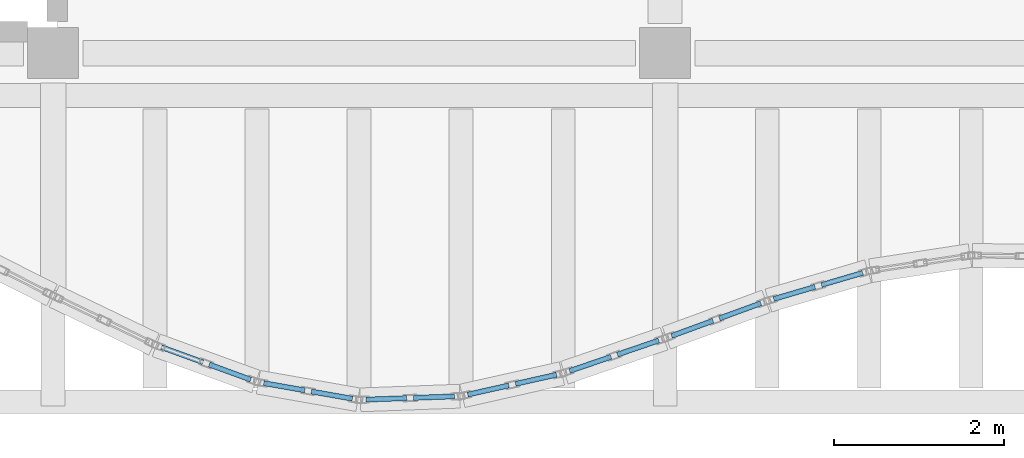
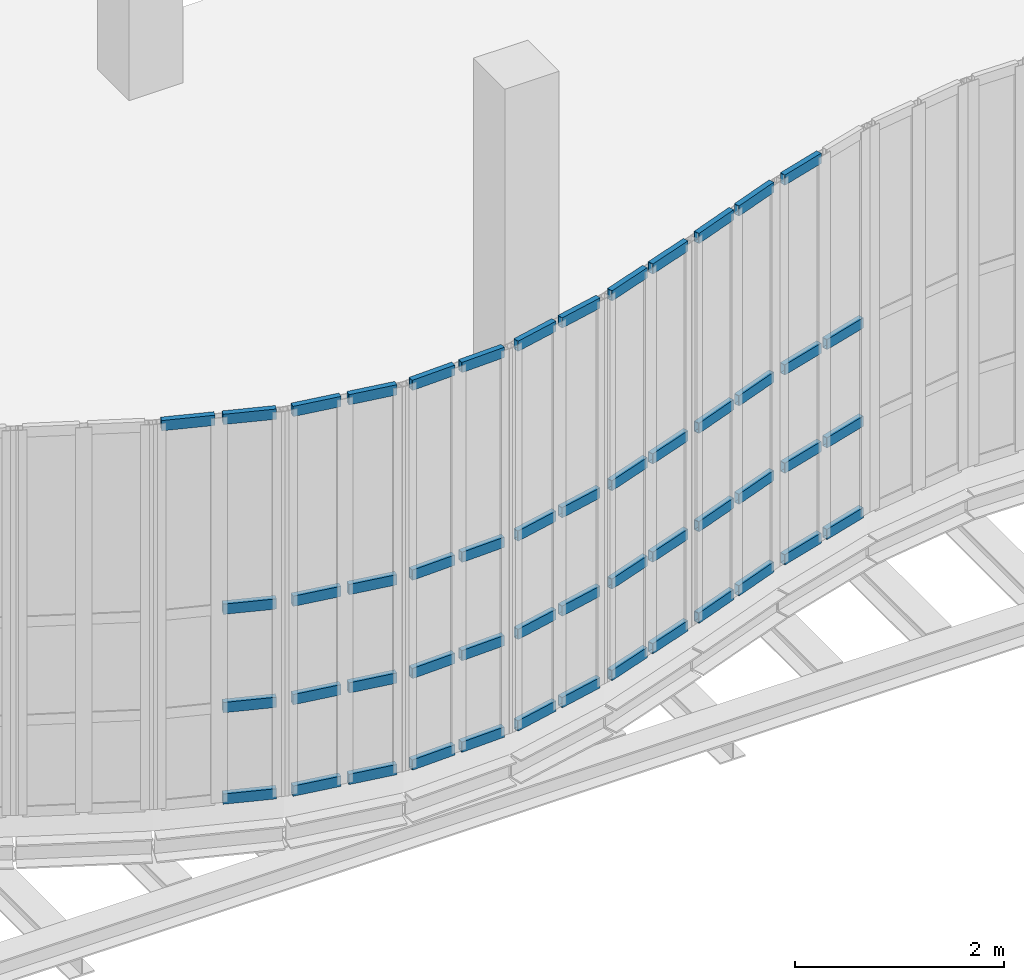
# One storey, part 57 of 105: 52 members, 7 elements without a shape of their own.
"""IFC4 building model written with IfcOpenShell, lengths in metres."""

from ifc_helpers import new_model, si_unit, direction, frame, origin, origin_2d, place, context, subcontext, project, spatial, hollow_rectangle, extrude, material, layer, layer_set, material_profile, profile_set, type_object, element, aggregate, save


model = new_model("IFC4")

# Units and contexts
model_context = context("Model", 3, precision=1e-05, world=origin(), true_north=direction((0.0, 1.0)))
body_context = subcontext(model_context, "Body", "Model", "MODEL_VIEW")
ifc_project = project(units=[si_unit("LENGTHUNIT", "METRE"), si_unit("AREAUNIT", "SQUARE_METRE"), si_unit("VOLUMEUNIT", "CUBIC_METRE"), si_unit("PLANEANGLEUNIT", "RADIAN"), si_unit("MASSUNIT", "GRAM", prefix="KILO"), si_unit("THERMODYNAMICTEMPERATUREUNIT", "KELVIN"), si_unit("POWERUNIT", "WATT")], contexts=[model_context])

# Site, building, storey
site_placement = place(None, origin())
site = spatial("IfcSite", under=ifc_project, at=site_placement, CompositionType="ELEMENT")
building_placement = place(site_placement, origin())
building = spatial("IfcBuilding", under=site, at=building_placement, Name="Kaldorven Railside Theatre", CompositionType="ELEMENT")
storey_placement = place(building_placement, frame((0.0, 0.0, 9.89990234375)))
storey = spatial("IfcBuildingStorey", under=building, at=storey_placement, Name="L02", CompositionType="ELEMENT", Elevation=9.89990234375)

# Curtain wall, members
ifc_material_1 = material(Name="Low-E laminated solar-control glass", Category="glass")
ifc_layer_1 = layer(ifc_material_1, 0.159912109375, Name="Low-E laminated solar-control glass")
ifc_layer_set_1 = layer_set([ifc_layer_1], Name="Low-E laminated solar-control glass")
curtain_wall_type_1 = type_object("IfcCurtainWallType", Name="CWT-01", PredefinedType="USERDEFINED", material=ifc_layer_set_1)
curtain_wall_1_placement = place(storey_placement, origin())
curtain_wall_1 = element("IfcCurtainWall", 1, at=curtain_wall_1_placement, inside=storey, type_object=curtain_wall_type_1, Name="Sinusoidal Fluted Curtain Wall CW-L02-S32", ObjectType="FLUTED GLAZING", PredefinedType="USERDEFINED")
ifc_material_2 = material(Name="Anodised bronze aluminium", Category="aluminium")
ifc_material_profile = material_profile(ifc_material_2, hollow_rectangle(XDim=0.06005859375, YDim=0.1201171875, WallThickness=0.0048828125, at=origin_2d()), Name="RHS 120x60x5")
ifc_profile_set = profile_set([ifc_material_profile], Name="Anodised bronze aluminium")
member_type = type_object("IfcMemberType", Name="CWT-120", PredefinedType="USERDEFINED", material=ifc_profile_set)
member_1_placement = place(storey_placement, frame((74.0751953125, 15.741455078125, 4.47021484375), z_axis=(0.939765927039, -0.341818668853, 0.0), x_axis=(0.341818668853, 0.939765927039, 0.0)))
member_1 = element("IfcMember", 2, at=member_1_placement, type_object=member_type, Name="CW-L02-S32 transom 1.4", ObjectType="TRANSOM", PredefinedType="USERDEFINED", context=body_context, shape_type="SweptSolid", body=[
    extrude(hollow_rectangle(XDim=0.06005859375, YDim=0.1201171875, WallThickness=0.0048828125, at=origin_2d()), origin(), (0.0, 0.0, 1.0), 0.5185546875),
])
member_2_placement = place(storey_placement, frame((74.6376953125, 15.536865234375, 0.030029296875), z_axis=(0.939710879359, -0.341969974143, 0.0), x_axis=(0.341969974143, 0.939710879359, 0.0)))
member_2 = element("IfcMember", 3, at=member_2_placement, type_object=member_type, Name="CW-L02-S32 transom 2.1", ObjectType="TRANSOM", PredefinedType="USERDEFINED", context=body_context, shape_type="SweptSolid", body=[
    extrude(hollow_rectangle(XDim=0.06005859375, YDim=0.1201171875, WallThickness=0.0048828125, at=origin_2d()), origin(), (0.0, 0.0, 1.0), 0.518310546875),
])
member_3_placement = place(storey_placement, frame((74.6376953125, 15.536865234375, 1.10009765625), z_axis=(0.939710879359, -0.341969974143, 0.0), x_axis=(0.341969974143, 0.939710879359, 0.0)))
member_3 = element("IfcMember", 4, at=member_3_placement, type_object=member_type, Name="CW-L02-S32 transom 2.2", ObjectType="TRANSOM", PredefinedType="USERDEFINED", context=body_context, shape_type="SweptSolid", body=[
    extrude(hollow_rectangle(XDim=0.06005859375, YDim=0.1201171875, WallThickness=0.0048828125, at=origin_2d()), origin(), (0.0, 0.0, 1.0), 0.518310546875),
])
member_4_placement = place(storey_placement, frame((74.6376953125, 15.536865234375, 2.25), z_axis=(0.939710879359, -0.341969974143, 0.0), x_axis=(0.341969974143, 0.939710879359, 0.0)))
member_4 = element("IfcMember", 5, at=member_4_placement, type_object=member_type, Name="CW-L02-S32 transom 2.3", ObjectType="TRANSOM", PredefinedType="USERDEFINED", context=body_context, shape_type="SweptSolid", body=[
    extrude(hollow_rectangle(XDim=0.06005859375, YDim=0.1201171875, WallThickness=0.0048828125, at=origin_2d()), origin(), (0.0, 0.0, 1.0), 0.518310546875),
])
member_5_placement = place(storey_placement, frame((74.6376953125, 15.536865234375, 4.47021484375), z_axis=(0.939710879359, -0.341969974143, 0.0), x_axis=(0.341969974143, 0.939710879359, 0.0)))
member_5 = element("IfcMember", 6, at=member_5_placement, type_object=member_type, Name="CW-L02-S32 transom 2.4", ObjectType="TRANSOM", PredefinedType="USERDEFINED", context=body_context, shape_type="SweptSolid", body=[
    extrude(hollow_rectangle(XDim=0.06005859375, YDim=0.1201171875, WallThickness=0.0048828125, at=origin_2d()), origin(), (0.0, 0.0, 1.0), 0.518310546875),
])
aggregate(curtain_wall_1, [member_1, member_2, member_3, member_4, member_5])

ifc_layer_2 = layer(ifc_material_1, 0.159912109375, Name="Low-E laminated solar-control glass")
ifc_layer_set_2 = layer_set([ifc_layer_2], Name="Low-E laminated solar-control glass")
curtain_wall_type_2 = type_object("IfcCurtainWallType", Name="CWT-07", PredefinedType="USERDEFINED", material=ifc_layer_set_2)
curtain_wall_2_placement = place(storey_placement, origin())
curtain_wall_2 = element("IfcCurtainWall", 7, at=curtain_wall_2_placement, inside=storey, type_object=curtain_wall_type_2, Name="Sinusoidal Fluted Curtain Wall CW-L02-S33", ObjectType="FLUTED GLAZING", PredefinedType="USERDEFINED")
member_6_placement = place(storey_placement, frame((75.27880859375, 15.318359375, 0.030029296875), z_axis=(0.984883900347, -0.1732157696, 0.0), x_axis=(0.1732157696, 0.984883900347, 0.0)))
member_6 = element("IfcMember", 8, at=member_6_placement, type_object=member_type, Name="CW-L02-S33 transom 1.1", ObjectType="TRANSOM", PredefinedType="USERDEFINED", context=body_context, shape_type="SweptSolid", body=[
    extrude(hollow_rectangle(XDim=0.06005859375, YDim=0.1201171875, WallThickness=0.0048828125, at=origin_2d()), origin(), (0.0, 0.0, 1.0), 0.489013671875),
])
member_7_placement = place(storey_placement, frame((75.27880859375, 15.318359375, 1.10009765625), z_axis=(0.984883900347, -0.1732157696, 0.0), x_axis=(0.1732157696, 0.984883900347, 0.0)))
member_7 = element("IfcMember", 9, at=member_7_placement, type_object=member_type, Name="CW-L02-S33 transom 1.2", ObjectType="TRANSOM", PredefinedType="USERDEFINED", context=body_context, shape_type="SweptSolid", body=[
    extrude(hollow_rectangle(XDim=0.06005859375, YDim=0.1201171875, WallThickness=0.0048828125, at=origin_2d()), origin(), (0.0, 0.0, 1.0), 0.489013671875),
])
member_8_placement = place(storey_placement, frame((75.27880859375, 15.318359375, 2.25), z_axis=(0.984883900347, -0.1732157696, 0.0), x_axis=(0.1732157696, 0.984883900347, 0.0)))
member_8 = element("IfcMember", 10, at=member_8_placement, type_object=member_type, Name="CW-L02-S33 transom 1.3", ObjectType="TRANSOM", PredefinedType="USERDEFINED", context=body_context, shape_type="SweptSolid", body=[
    extrude(hollow_rectangle(XDim=0.06005859375, YDim=0.1201171875, WallThickness=0.0048828125, at=origin_2d()), origin(), (0.0, 0.0, 1.0), 0.489013671875),
])
member_9_placement = place(storey_placement, frame((75.27880859375, 15.318359375, 4.47021484375), z_axis=(0.984883900347, -0.1732157696, 0.0), x_axis=(0.1732157696, 0.984883900347, 0.0)))
member_9 = element("IfcMember", 11, at=member_9_placement, type_object=member_type, Name="CW-L02-S33 transom 1.4", ObjectType="TRANSOM", PredefinedType="USERDEFINED", context=body_context, shape_type="SweptSolid", body=[
    extrude(hollow_rectangle(XDim=0.06005859375, YDim=0.1201171875, WallThickness=0.0048828125, at=origin_2d()), origin(), (0.0, 0.0, 1.0), 0.489013671875),
])
member_10_placement = place(storey_placement, frame((75.83935546875, 15.2197265625, 0.030029296875), z_axis=(0.984898866584, -0.173130651826, 0.0), x_axis=(0.173130651826, 0.984898866584, 0.0)))
member_10 = element("IfcMember", 12, at=member_10_placement, type_object=member_type, Name="CW-L02-S33 transom 2.1", ObjectType="TRANSOM", PredefinedType="USERDEFINED", context=body_context, shape_type="SweptSolid", body=[
    extrude(hollow_rectangle(XDim=0.06005859375, YDim=0.1201171875, WallThickness=0.0048828125, at=origin_2d()), origin(), (0.0, 0.0, 1.0), 0.4892578125),
])
member_11_placement = place(storey_placement, frame((75.83935546875, 15.2197265625, 1.10009765625), z_axis=(0.984898866584, -0.173130651826, 0.0), x_axis=(0.173130651826, 0.984898866584, 0.0)))
member_11 = element("IfcMember", 13, at=member_11_placement, type_object=member_type, Name="CW-L02-S33 transom 2.2", ObjectType="TRANSOM", PredefinedType="USERDEFINED", context=body_context, shape_type="SweptSolid", body=[
    extrude(hollow_rectangle(XDim=0.06005859375, YDim=0.1201171875, WallThickness=0.0048828125, at=origin_2d()), origin(), (0.0, 0.0, 1.0), 0.4892578125),
])
member_12_placement = place(storey_placement, frame((75.83935546875, 15.2197265625, 2.25), z_axis=(0.984898866584, -0.173130651826, 0.0), x_axis=(0.173130651826, 0.984898866584, 0.0)))
member_12 = element("IfcMember", 14, at=member_12_placement, type_object=member_type, Name="CW-L02-S33 transom 2.3", ObjectType="TRANSOM", PredefinedType="USERDEFINED", context=body_context, shape_type="SweptSolid", body=[
    extrude(hollow_rectangle(XDim=0.06005859375, YDim=0.1201171875, WallThickness=0.0048828125, at=origin_2d()), origin(), (0.0, 0.0, 1.0), 0.4892578125),
])
member_13_placement = place(storey_placement, frame((75.83935546875, 15.2197265625, 4.47021484375), z_axis=(0.984898866584, -0.173130651826, 0.0), x_axis=(0.173130651826, 0.984898866584, 0.0)))
member_13 = element("IfcMember", 15, at=member_13_placement, type_object=member_type, Name="CW-L02-S33 transom 2.4", ObjectType="TRANSOM", PredefinedType="USERDEFINED", context=body_context, shape_type="SweptSolid", body=[
    extrude(hollow_rectangle(XDim=0.06005859375, YDim=0.1201171875, WallThickness=0.0048828125, at=origin_2d()), origin(), (0.0, 0.0, 1.0), 0.4892578125),
])
aggregate(curtain_wall_2, [member_6, member_7, member_8, member_9, member_10, member_11, member_12, member_13])

ifc_layer_3 = layer(ifc_material_1, 0.159912109375, Name="Low-E laminated solar-control glass")
ifc_layer_set_3 = layer_set([ifc_layer_3], Name="Low-E laminated solar-control glass")
curtain_wall_type_3 = type_object("IfcCurtainWallType", Name="CWT-03", PredefinedType="USERDEFINED", material=ifc_layer_set_3)
curtain_wall_3_placement = place(storey_placement, origin())
curtain_wall_3 = element("IfcCurtainWall", 16, at=curtain_wall_3_placement, inside=storey, type_object=curtain_wall_type_3, Name="Sinusoidal Fluted Curtain Wall CW-L02-S34", ObjectType="FLUTED GLAZING", PredefinedType="USERDEFINED")
member_14_placement = place(storey_placement, frame((76.47998046875, 15.124267578125, 0.030029296875), z_axis=(0.99933006699, 0.036598049249, 0.0), x_axis=(-0.036598049249, 0.99933006699, 0.0)))
member_14 = element("IfcMember", 17, at=member_14_placement, type_object=member_type, Name="CW-L02-S34 transom 1.1", ObjectType="TRANSOM", PredefinedType="USERDEFINED", context=body_context, shape_type="SweptSolid", body=[
    extrude(hollow_rectangle(XDim=0.06005859375, YDim=0.1201171875, WallThickness=0.0048828125, at=origin_2d()), origin(), (0.0, 0.0, 1.0), 0.480224609375),
])
member_15_placement = place(storey_placement, frame((76.47998046875, 15.124267578125, 1.10009765625), z_axis=(0.99933006699, 0.036598049249, 0.0), x_axis=(-0.036598049249, 0.99933006699, 0.0)))
member_15 = element("IfcMember", 18, at=member_15_placement, type_object=member_type, Name="CW-L02-S34 transom 1.2", ObjectType="TRANSOM", PredefinedType="USERDEFINED", context=body_context, shape_type="SweptSolid", body=[
    extrude(hollow_rectangle(XDim=0.06005859375, YDim=0.1201171875, WallThickness=0.0048828125, at=origin_2d()), origin(), (0.0, 0.0, 1.0), 0.480224609375),
])
member_16_placement = place(storey_placement, frame((76.47998046875, 15.124267578125, 2.25), z_axis=(0.99933006699, 0.036598049249, 0.0), x_axis=(-0.036598049249, 0.99933006699, 0.0)))
member_16 = element("IfcMember", 19, at=member_16_placement, type_object=member_type, Name="CW-L02-S34 transom 1.3", ObjectType="TRANSOM", PredefinedType="USERDEFINED", context=body_context, shape_type="SweptSolid", body=[
    extrude(hollow_rectangle(XDim=0.06005859375, YDim=0.1201171875, WallThickness=0.0048828125, at=origin_2d()), origin(), (0.0, 0.0, 1.0), 0.480224609375),
])
member_17_placement = place(storey_placement, frame((76.47998046875, 15.124267578125, 4.47021484375), z_axis=(0.99933006699, 0.036598049249, 0.0), x_axis=(-0.036598049249, 0.99933006699, 0.0)))
member_17 = element("IfcMember", 20, at=member_17_placement, type_object=member_type, Name="CW-L02-S34 transom 1.4", ObjectType="TRANSOM", PredefinedType="USERDEFINED", context=body_context, shape_type="SweptSolid", body=[
    extrude(hollow_rectangle(XDim=0.06005859375, YDim=0.1201171875, WallThickness=0.0048828125, at=origin_2d()), origin(), (0.0, 0.0, 1.0), 0.480224609375),
])
member_18_placement = place(storey_placement, frame((77.0400390625, 15.14501953125, 0.030029296875), z_axis=(0.999311347861, 0.037105660424, 0.0), x_axis=(-0.037105660424, 0.999311347861, 0.0)))
member_18 = element("IfcMember", 21, at=member_18_placement, type_object=member_type, Name="CW-L02-S34 transom 2.1", ObjectType="TRANSOM", PredefinedType="USERDEFINED", context=body_context, shape_type="SweptSolid", body=[
    extrude(hollow_rectangle(XDim=0.06005859375, YDim=0.1201171875, WallThickness=0.0048828125, at=origin_2d()), origin(), (0.0, 0.0, 1.0), 0.480224609375),
])
member_19_placement = place(storey_placement, frame((77.0400390625, 15.14501953125, 1.10009765625), z_axis=(0.999311347861, 0.037105660424, 0.0), x_axis=(-0.037105660424, 0.999311347861, 0.0)))
member_19 = element("IfcMember", 22, at=member_19_placement, type_object=member_type, Name="CW-L02-S34 transom 2.2", ObjectType="TRANSOM", PredefinedType="USERDEFINED", context=body_context, shape_type="SweptSolid", body=[
    extrude(hollow_rectangle(XDim=0.06005859375, YDim=0.1201171875, WallThickness=0.0048828125, at=origin_2d()), origin(), (0.0, 0.0, 1.0), 0.480224609375),
])
member_20_placement = place(storey_placement, frame((77.0400390625, 15.14501953125, 2.25), z_axis=(0.999311347861, 0.037105660424, 0.0), x_axis=(-0.037105660424, 0.999311347861, 0.0)))
member_20 = element("IfcMember", 23, at=member_20_placement, type_object=member_type, Name="CW-L02-S34 transom 2.3", ObjectType="TRANSOM", PredefinedType="USERDEFINED", context=body_context, shape_type="SweptSolid", body=[
    extrude(hollow_rectangle(XDim=0.06005859375, YDim=0.1201171875, WallThickness=0.0048828125, at=origin_2d()), origin(), (0.0, 0.0, 1.0), 0.480224609375),
])
member_21_placement = place(storey_placement, frame((77.0400390625, 15.14501953125, 4.47021484375), z_axis=(0.999311347861, 0.037105660424, 0.0), x_axis=(-0.037105660424, 0.999311347861, 0.0)))
member_21 = element("IfcMember", 24, at=member_21_placement, type_object=member_type, Name="CW-L02-S34 transom 2.4", ObjectType="TRANSOM", PredefinedType="USERDEFINED", context=body_context, shape_type="SweptSolid", body=[
    extrude(hollow_rectangle(XDim=0.06005859375, YDim=0.1201171875, WallThickness=0.0048828125, at=origin_2d()), origin(), (0.0, 0.0, 1.0), 0.480224609375),
])
aggregate(curtain_wall_3, [member_14, member_15, member_16, member_17, member_18, member_19, member_20, member_21])

ifc_layer_4 = layer(ifc_material_1, 0.159912109375, Name="Low-E laminated solar-control glass")
ifc_layer_set_4 = layer_set([ifc_layer_4], Name="Low-E laminated solar-control glass")
curtain_wall_type_4 = type_object("IfcCurtainWallType", Name="CWT-02", PredefinedType="USERDEFINED", material=ifc_layer_set_4)
curtain_wall_4_placement = place(storey_placement, origin())
curtain_wall_4 = element("IfcCurtainWall", 25, at=curtain_wall_4_placement, inside=storey, type_object=curtain_wall_type_4, Name="Sinusoidal Fluted Curtain Wall CW-L02-S35", ObjectType="FLUTED GLAZING", PredefinedType="USERDEFINED")
member_22_placement = place(storey_placement, frame((77.677978515625, 15.183349609375, 0.030029296875), z_axis=(0.975720554959, 0.219019174116, 0.0), x_axis=(-0.219019174116, 0.975720554959, 0.0)))
member_22 = element("IfcMember", 26, at=member_22_placement, type_object=member_type, Name="CW-L02-S35 transom 1.1", ObjectType="TRANSOM", PredefinedType="USERDEFINED", context=body_context, shape_type="SweptSolid", body=[
    extrude(hollow_rectangle(XDim=0.06005859375, YDim=0.1201171875, WallThickness=0.0048828125, at=origin_2d()), origin(), (0.0, 0.0, 1.0), 0.494873046875),
])
member_23_placement = place(storey_placement, frame((77.677978515625, 15.183349609375, 1.10009765625), z_axis=(0.975720554959, 0.219019174116, 0.0), x_axis=(-0.219019174116, 0.975720554959, 0.0)))
member_23 = element("IfcMember", 27, at=member_23_placement, type_object=member_type, Name="CW-L02-S35 transom 1.2", ObjectType="TRANSOM", PredefinedType="USERDEFINED", context=body_context, shape_type="SweptSolid", body=[
    extrude(hollow_rectangle(XDim=0.06005859375, YDim=0.1201171875, WallThickness=0.0048828125, at=origin_2d()), origin(), (0.0, 0.0, 1.0), 0.494873046875),
])
member_24_placement = place(storey_placement, frame((77.677978515625, 15.183349609375, 2.25), z_axis=(0.975720554959, 0.219019174116, 0.0), x_axis=(-0.219019174116, 0.975720554959, 0.0)))
member_24 = element("IfcMember", 28, at=member_24_placement, type_object=member_type, Name="CW-L02-S35 transom 1.3", ObjectType="TRANSOM", PredefinedType="USERDEFINED", context=body_context, shape_type="SweptSolid", body=[
    extrude(hollow_rectangle(XDim=0.06005859375, YDim=0.1201171875, WallThickness=0.0048828125, at=origin_2d()), origin(), (0.0, 0.0, 1.0), 0.494873046875),
])
member_25_placement = place(storey_placement, frame((77.677978515625, 15.183349609375, 4.47021484375), z_axis=(0.975720554959, 0.219019174116, 0.0), x_axis=(-0.219019174116, 0.975720554959, 0.0)))
member_25 = element("IfcMember", 29, at=member_25_placement, type_object=member_type, Name="CW-L02-S35 transom 1.4", ObjectType="TRANSOM", PredefinedType="USERDEFINED", context=body_context, shape_type="SweptSolid", body=[
    extrude(hollow_rectangle(XDim=0.06005859375, YDim=0.1201171875, WallThickness=0.0048828125, at=origin_2d()), origin(), (0.0, 0.0, 1.0), 0.494873046875),
])
member_26_placement = place(storey_placement, frame((78.239013671875, 15.309326171875, 0.030029296875), z_axis=(0.975720554959, 0.219019174116, 0.0), x_axis=(-0.219019174116, 0.975720554959, 0.0)))
member_26 = element("IfcMember", 30, at=member_26_placement, type_object=member_type, Name="CW-L02-S35 transom 2.1", ObjectType="TRANSOM", PredefinedType="USERDEFINED", context=body_context, shape_type="SweptSolid", body=[
    extrude(hollow_rectangle(XDim=0.06005859375, YDim=0.1201171875, WallThickness=0.0048828125, at=origin_2d()), origin(), (0.0, 0.0, 1.0), 0.494873046875),
])
member_27_placement = place(storey_placement, frame((78.239013671875, 15.309326171875, 1.10009765625), z_axis=(0.975720554959, 0.219019174116, 0.0), x_axis=(-0.219019174116, 0.975720554959, 0.0)))
member_27 = element("IfcMember", 31, at=member_27_placement, type_object=member_type, Name="CW-L02-S35 transom 2.2", ObjectType="TRANSOM", PredefinedType="USERDEFINED", context=body_context, shape_type="SweptSolid", body=[
    extrude(hollow_rectangle(XDim=0.06005859375, YDim=0.1201171875, WallThickness=0.0048828125, at=origin_2d()), origin(), (0.0, 0.0, 1.0), 0.494873046875),
])
member_28_placement = place(storey_placement, frame((78.239013671875, 15.309326171875, 2.25), z_axis=(0.975720554959, 0.219019174116, 0.0), x_axis=(-0.219019174116, 0.975720554959, 0.0)))
member_28 = element("IfcMember", 32, at=member_28_placement, type_object=member_type, Name="CW-L02-S35 transom 2.3", ObjectType="TRANSOM", PredefinedType="USERDEFINED", context=body_context, shape_type="SweptSolid", body=[
    extrude(hollow_rectangle(XDim=0.06005859375, YDim=0.1201171875, WallThickness=0.0048828125, at=origin_2d()), origin(), (0.0, 0.0, 1.0), 0.494873046875),
])
member_29_placement = place(storey_placement, frame((78.239013671875, 15.309326171875, 4.47021484375), z_axis=(0.975720554959, 0.219019174116, 0.0), x_axis=(-0.219019174116, 0.975720554959, 0.0)))
member_29 = element("IfcMember", 33, at=member_29_placement, type_object=member_type, Name="CW-L02-S35 transom 2.4", ObjectType="TRANSOM", PredefinedType="USERDEFINED", context=body_context, shape_type="SweptSolid", body=[
    extrude(hollow_rectangle(XDim=0.06005859375, YDim=0.1201171875, WallThickness=0.0048828125, at=origin_2d()), origin(), (0.0, 0.0, 1.0), 0.494873046875),
])
aggregate(curtain_wall_4, [member_22, member_23, member_24, member_25, member_26, member_27, member_28, member_29])

ifc_layer_5 = layer(ifc_material_1, 0.159912109375, Name="Low-E laminated solar-control glass")
ifc_layer_set_5 = layer_set([ifc_layer_5], Name="Low-E laminated solar-control glass")
curtain_wall_type_5 = type_object("IfcCurtainWallType", Name="CWT-04", PredefinedType="USERDEFINED", material=ifc_layer_set_5)
curtain_wall_5_placement = place(storey_placement, origin())
curtain_wall_5 = element("IfcCurtainWall", 34, at=curtain_wall_5_placement, inside=storey, type_object=curtain_wall_type_5, Name="Sinusoidal Fluted Curtain Wall CW-L02-S36", ObjectType="FLUTED GLAZING", PredefinedType="USERDEFINED")
member_30_placement = place(storey_placement, frame((78.875732421875, 15.461181640625, 0.030029296875), z_axis=(0.945941783381, 0.324336464884, 0.0), x_axis=(-0.324336464884, 0.945941783381, 0.0)))
member_30 = element("IfcMember", 35, at=member_30_placement, type_object=member_type, Name="CW-L02-S36 transom 1.1", ObjectType="TRANSOM", PredefinedType="USERDEFINED", context=body_context, shape_type="SweptSolid", body=[
    extrude(hollow_rectangle(XDim=0.06005859375, YDim=0.1201171875, WallThickness=0.0048828125, at=origin_2d()), origin(), (0.0, 0.0, 1.0), 0.51416015625),
])
member_31_placement = place(storey_placement, frame((78.875732421875, 15.461181640625, 1.10009765625), z_axis=(0.945941783381, 0.324336464884, 0.0), x_axis=(-0.324336464884, 0.945941783381, 0.0)))
member_31 = element("IfcMember", 36, at=member_31_placement, type_object=member_type, Name="CW-L02-S36 transom 1.2", ObjectType="TRANSOM", PredefinedType="USERDEFINED", context=body_context, shape_type="SweptSolid", body=[
    extrude(hollow_rectangle(XDim=0.06005859375, YDim=0.1201171875, WallThickness=0.0048828125, at=origin_2d()), origin(), (0.0, 0.0, 1.0), 0.51416015625),
])
member_32_placement = place(storey_placement, frame((78.875732421875, 15.461181640625, 2.25), z_axis=(0.945941783381, 0.324336464884, 0.0), x_axis=(-0.324336464884, 0.945941783381, 0.0)))
member_32 = element("IfcMember", 37, at=member_32_placement, type_object=member_type, Name="CW-L02-S36 transom 1.3", ObjectType="TRANSOM", PredefinedType="USERDEFINED", context=body_context, shape_type="SweptSolid", body=[
    extrude(hollow_rectangle(XDim=0.06005859375, YDim=0.1201171875, WallThickness=0.0048828125, at=origin_2d()), origin(), (0.0, 0.0, 1.0), 0.51416015625),
])
member_33_placement = place(storey_placement, frame((78.875732421875, 15.461181640625, 4.47021484375), z_axis=(0.945941783381, 0.324336464884, 0.0), x_axis=(-0.324336464884, 0.945941783381, 0.0)))
member_33 = element("IfcMember", 38, at=member_33_placement, type_object=member_type, Name="CW-L02-S36 transom 1.4", ObjectType="TRANSOM", PredefinedType="USERDEFINED", context=body_context, shape_type="SweptSolid", body=[
    extrude(hollow_rectangle(XDim=0.06005859375, YDim=0.1201171875, WallThickness=0.0048828125, at=origin_2d()), origin(), (0.0, 0.0, 1.0), 0.51416015625),
])
member_34_placement = place(storey_placement, frame((79.437744140625, 15.65380859375, 0.030029296875), z_axis=(0.945991703324, 0.324190834606, 0.0), x_axis=(-0.324190834606, 0.945991703324, 0.0)))
member_34 = element("IfcMember", 39, at=member_34_placement, type_object=member_type, Name="CW-L02-S36 transom 2.1", ObjectType="TRANSOM", PredefinedType="USERDEFINED", context=body_context, shape_type="SweptSolid", body=[
    extrude(hollow_rectangle(XDim=0.06005859375, YDim=0.1201171875, WallThickness=0.0048828125, at=origin_2d()), origin(), (0.0, 0.0, 1.0), 0.514404296875),
])
member_35_placement = place(storey_placement, frame((79.437744140625, 15.65380859375, 1.10009765625), z_axis=(0.945991703324, 0.324190834606, 0.0), x_axis=(-0.324190834606, 0.945991703324, 0.0)))
member_35 = element("IfcMember", 40, at=member_35_placement, type_object=member_type, Name="CW-L02-S36 transom 2.2", ObjectType="TRANSOM", PredefinedType="USERDEFINED", context=body_context, shape_type="SweptSolid", body=[
    extrude(hollow_rectangle(XDim=0.06005859375, YDim=0.1201171875, WallThickness=0.0048828125, at=origin_2d()), origin(), (0.0, 0.0, 1.0), 0.514404296875),
])
member_36_placement = place(storey_placement, frame((79.437744140625, 15.65380859375, 2.25), z_axis=(0.945991703324, 0.324190834606, 0.0), x_axis=(-0.324190834606, 0.945991703324, 0.0)))
member_36 = element("IfcMember", 41, at=member_36_placement, type_object=member_type, Name="CW-L02-S36 transom 2.3", ObjectType="TRANSOM", PredefinedType="USERDEFINED", context=body_context, shape_type="SweptSolid", body=[
    extrude(hollow_rectangle(XDim=0.06005859375, YDim=0.1201171875, WallThickness=0.0048828125, at=origin_2d()), origin(), (0.0, 0.0, 1.0), 0.514404296875),
])
member_37_placement = place(storey_placement, frame((79.437744140625, 15.65380859375, 4.47021484375), z_axis=(0.945991703324, 0.324190834606, 0.0), x_axis=(-0.324190834606, 0.945991703324, 0.0)))
member_37 = element("IfcMember", 42, at=member_37_placement, type_object=member_type, Name="CW-L02-S36 transom 2.4", ObjectType="TRANSOM", PredefinedType="USERDEFINED", context=body_context, shape_type="SweptSolid", body=[
    extrude(hollow_rectangle(XDim=0.06005859375, YDim=0.1201171875, WallThickness=0.0048828125, at=origin_2d()), origin(), (0.0, 0.0, 1.0), 0.514404296875),
])
aggregate(curtain_wall_5, [member_30, member_31, member_32, member_33, member_34, member_35, member_36, member_37])

curtain_wall_6_placement = place(storey_placement, origin())
curtain_wall_6 = element("IfcCurtainWall", 43, at=curtain_wall_6_placement, inside=storey, type_object=curtain_wall_type_1, Name="Sinusoidal Fluted Curtain Wall CW-L02-S37", ObjectType="FLUTED GLAZING", PredefinedType="USERDEFINED")
member_38_placement = place(storey_placement, frame((80.0751953125, 15.873779296875, 0.030029296875), z_axis=(0.939159876124, 0.343480315416, 0.0), x_axis=(-0.343480315416, 0.939159876124, 0.0)))
member_38 = element("IfcMember", 44, at=member_38_placement, type_object=member_type, Name="CW-L02-S37 transom 1.1", ObjectType="TRANSOM", PredefinedType="USERDEFINED", context=body_context, shape_type="SweptSolid", body=[
    extrude(hollow_rectangle(XDim=0.06005859375, YDim=0.1201171875, WallThickness=0.0048828125, at=origin_2d()), origin(), (0.0, 0.0, 1.0), 0.518798828125),
])
member_39_placement = place(storey_placement, frame((80.0751953125, 15.873779296875, 1.10009765625), z_axis=(0.939159876124, 0.343480315416, 0.0), x_axis=(-0.343480315416, 0.939159876124, 0.0)))
member_39 = element("IfcMember", 45, at=member_39_placement, type_object=member_type, Name="CW-L02-S37 transom 1.2", ObjectType="TRANSOM", PredefinedType="USERDEFINED", context=body_context, shape_type="SweptSolid", body=[
    extrude(hollow_rectangle(XDim=0.06005859375, YDim=0.1201171875, WallThickness=0.0048828125, at=origin_2d()), origin(), (0.0, 0.0, 1.0), 0.518798828125),
])
member_40_placement = place(storey_placement, frame((80.0751953125, 15.873779296875, 2.25), z_axis=(0.939159876124, 0.343480315416, 0.0), x_axis=(-0.343480315416, 0.939159876124, 0.0)))
member_40 = element("IfcMember", 46, at=member_40_placement, type_object=member_type, Name="CW-L02-S37 transom 1.3", ObjectType="TRANSOM", PredefinedType="USERDEFINED", context=body_context, shape_type="SweptSolid", body=[
    extrude(hollow_rectangle(XDim=0.06005859375, YDim=0.1201171875, WallThickness=0.0048828125, at=origin_2d()), origin(), (0.0, 0.0, 1.0), 0.518798828125),
])
member_41_placement = place(storey_placement, frame((80.0751953125, 15.873779296875, 4.47021484375), z_axis=(0.939159876124, 0.343480315416, 0.0), x_axis=(-0.343480315416, 0.939159876124, 0.0)))
member_41 = element("IfcMember", 47, at=member_41_placement, type_object=member_type, Name="CW-L02-S37 transom 1.4", ObjectType="TRANSOM", PredefinedType="USERDEFINED", context=body_context, shape_type="SweptSolid", body=[
    extrude(hollow_rectangle(XDim=0.06005859375, YDim=0.1201171875, WallThickness=0.0048828125, at=origin_2d()), origin(), (0.0, 0.0, 1.0), 0.518798828125),
])
member_42_placement = place(storey_placement, frame((80.637451171875, 16.07958984375, 0.030029296875), z_axis=(0.939159876124, 0.343480315416, 0.0), x_axis=(-0.343480315416, 0.939159876124, 0.0)))
member_42 = element("IfcMember", 48, at=member_42_placement, type_object=member_type, Name="CW-L02-S37 transom 2.1", ObjectType="TRANSOM", PredefinedType="USERDEFINED", context=body_context, shape_type="SweptSolid", body=[
    extrude(hollow_rectangle(XDim=0.06005859375, YDim=0.1201171875, WallThickness=0.0048828125, at=origin_2d()), origin(), (0.0, 0.0, 1.0), 0.518798828125),
])
member_43_placement = place(storey_placement, frame((80.637451171875, 16.07958984375, 1.10009765625), z_axis=(0.939159876124, 0.343480315416, 0.0), x_axis=(-0.343480315416, 0.939159876124, 0.0)))
member_43 = element("IfcMember", 49, at=member_43_placement, type_object=member_type, Name="CW-L02-S37 transom 2.2", ObjectType="TRANSOM", PredefinedType="USERDEFINED", context=body_context, shape_type="SweptSolid", body=[
    extrude(hollow_rectangle(XDim=0.06005859375, YDim=0.1201171875, WallThickness=0.0048828125, at=origin_2d()), origin(), (0.0, 0.0, 1.0), 0.518798828125),
])
member_44_placement = place(storey_placement, frame((80.637451171875, 16.07958984375, 2.25), z_axis=(0.939159876124, 0.343480315416, 0.0), x_axis=(-0.343480315416, 0.939159876124, 0.0)))
member_44 = element("IfcMember", 50, at=member_44_placement, type_object=member_type, Name="CW-L02-S37 transom 2.3", ObjectType="TRANSOM", PredefinedType="USERDEFINED", context=body_context, shape_type="SweptSolid", body=[
    extrude(hollow_rectangle(XDim=0.06005859375, YDim=0.1201171875, WallThickness=0.0048828125, at=origin_2d()), origin(), (0.0, 0.0, 1.0), 0.518798828125),
])
member_45_placement = place(storey_placement, frame((80.637451171875, 16.07958984375, 4.47021484375), z_axis=(0.939159876124, 0.343480315416, 0.0), x_axis=(-0.343480315416, 0.939159876124, 0.0)))
member_45 = element("IfcMember", 51, at=member_45_placement, type_object=member_type, Name="CW-L02-S37 transom 2.4", ObjectType="TRANSOM", PredefinedType="USERDEFINED", context=body_context, shape_type="SweptSolid", body=[
    extrude(hollow_rectangle(XDim=0.06005859375, YDim=0.1201171875, WallThickness=0.0048828125, at=origin_2d()), origin(), (0.0, 0.0, 1.0), 0.518798828125),
])
aggregate(curtain_wall_6, [member_38, member_39, member_40, member_41, member_42, member_43, member_44, member_45])

curtain_wall_7_placement = place(storey_placement, origin())
curtain_wall_7 = element("IfcCurtainWall", 52, at=curtain_wall_7_placement, inside=storey, type_object=curtain_wall_type_5, Name="Sinusoidal Fluted Curtain Wall CW-L02-S38", ObjectType="FLUTED GLAZING", PredefinedType="USERDEFINED")
member_46_placement = place(storey_placement, frame((81.27685546875, 16.307861328125, 0.030029296875), z_axis=(0.959380884602, 0.282114016419, 0.0), x_axis=(-0.282114016419, 0.959380884602, 0.0)))
member_46 = element("IfcMember", 53, at=member_46_placement, type_object=member_type, Name="CW-L02-S38 transom 1.1", ObjectType="TRANSOM", PredefinedType="USERDEFINED", context=body_context, shape_type="SweptSolid", body=[
    extrude(hollow_rectangle(XDim=0.06005859375, YDim=0.1201171875, WallThickness=0.0048828125, at=origin_2d()), origin(), (0.0, 0.0, 1.0), 0.50537109375),
])
member_47_placement = place(storey_placement, frame((81.27685546875, 16.307861328125, 1.10009765625), z_axis=(0.959380884602, 0.282114016419, 0.0), x_axis=(-0.282114016419, 0.959380884602, 0.0)))
member_47 = element("IfcMember", 54, at=member_47_placement, type_object=member_type, Name="CW-L02-S38 transom 1.2", ObjectType="TRANSOM", PredefinedType="USERDEFINED", context=body_context, shape_type="SweptSolid", body=[
    extrude(hollow_rectangle(XDim=0.06005859375, YDim=0.1201171875, WallThickness=0.0048828125, at=origin_2d()), origin(), (0.0, 0.0, 1.0), 0.50537109375),
])
member_48_placement = place(storey_placement, frame((81.27685546875, 16.307861328125, 2.25), z_axis=(0.959380884602, 0.282114016419, 0.0), x_axis=(-0.282114016419, 0.959380884602, 0.0)))
member_48 = element("IfcMember", 55, at=member_48_placement, type_object=member_type, Name="CW-L02-S38 transom 1.3", ObjectType="TRANSOM", PredefinedType="USERDEFINED", context=body_context, shape_type="SweptSolid", body=[
    extrude(hollow_rectangle(XDim=0.06005859375, YDim=0.1201171875, WallThickness=0.0048828125, at=origin_2d()), origin(), (0.0, 0.0, 1.0), 0.50537109375),
])
member_49_placement = place(storey_placement, frame((81.27685546875, 16.307861328125, 4.47021484375), z_axis=(0.959380884602, 0.282114016419, 0.0), x_axis=(-0.282114016419, 0.959380884602, 0.0)))
member_49 = element("IfcMember", 56, at=member_49_placement, type_object=member_type, Name="CW-L02-S38 transom 1.4", ObjectType="TRANSOM", PredefinedType="USERDEFINED", context=body_context, shape_type="SweptSolid", body=[
    extrude(hollow_rectangle(XDim=0.06005859375, YDim=0.1201171875, WallThickness=0.0048828125, at=origin_2d()), origin(), (0.0, 0.0, 1.0), 0.50537109375),
])
member_50_placement = place(storey_placement, frame((81.83837890625, 16.472900390625, 0.030029296875), z_axis=(0.959380884602, 0.282114016419, 0.0), x_axis=(-0.282114016419, 0.959380884602, 0.0)))
member_50 = element("IfcMember", 57, at=member_50_placement, type_object=member_type, Name="CW-L02-S38 transom 2.1", ObjectType="TRANSOM", PredefinedType="USERDEFINED", context=body_context, shape_type="SweptSolid", body=[
    extrude(hollow_rectangle(XDim=0.06005859375, YDim=0.1201171875, WallThickness=0.0048828125, at=origin_2d()), origin(), (0.0, 0.0, 1.0), 0.50537109375),
])
member_51_placement = place(storey_placement, frame((81.83837890625, 16.472900390625, 1.10009765625), z_axis=(0.959380884602, 0.282114016419, 0.0), x_axis=(-0.282114016419, 0.959380884602, 0.0)))
member_51 = element("IfcMember", 58, at=member_51_placement, type_object=member_type, Name="CW-L02-S38 transom 2.2", ObjectType="TRANSOM", PredefinedType="USERDEFINED", context=body_context, shape_type="SweptSolid", body=[
    extrude(hollow_rectangle(XDim=0.06005859375, YDim=0.1201171875, WallThickness=0.0048828125, at=origin_2d()), origin(), (0.0, 0.0, 1.0), 0.50537109375),
])
member_52_placement = place(storey_placement, frame((81.83837890625, 16.472900390625, 2.25), z_axis=(0.959380884602, 0.282114016419, 0.0), x_axis=(-0.282114016419, 0.959380884602, 0.0)))
member_52 = element("IfcMember", 59, at=member_52_placement, type_object=member_type, Name="CW-L02-S38 transom 2.3", ObjectType="TRANSOM", PredefinedType="USERDEFINED", context=body_context, shape_type="SweptSolid", body=[
    extrude(hollow_rectangle(XDim=0.06005859375, YDim=0.1201171875, WallThickness=0.0048828125, at=origin_2d()), origin(), (0.0, 0.0, 1.0), 0.50537109375),
])
aggregate(curtain_wall_7, [member_46, member_47, member_48, member_49, member_50, member_51, member_52])

save(model, "model.ifc")
